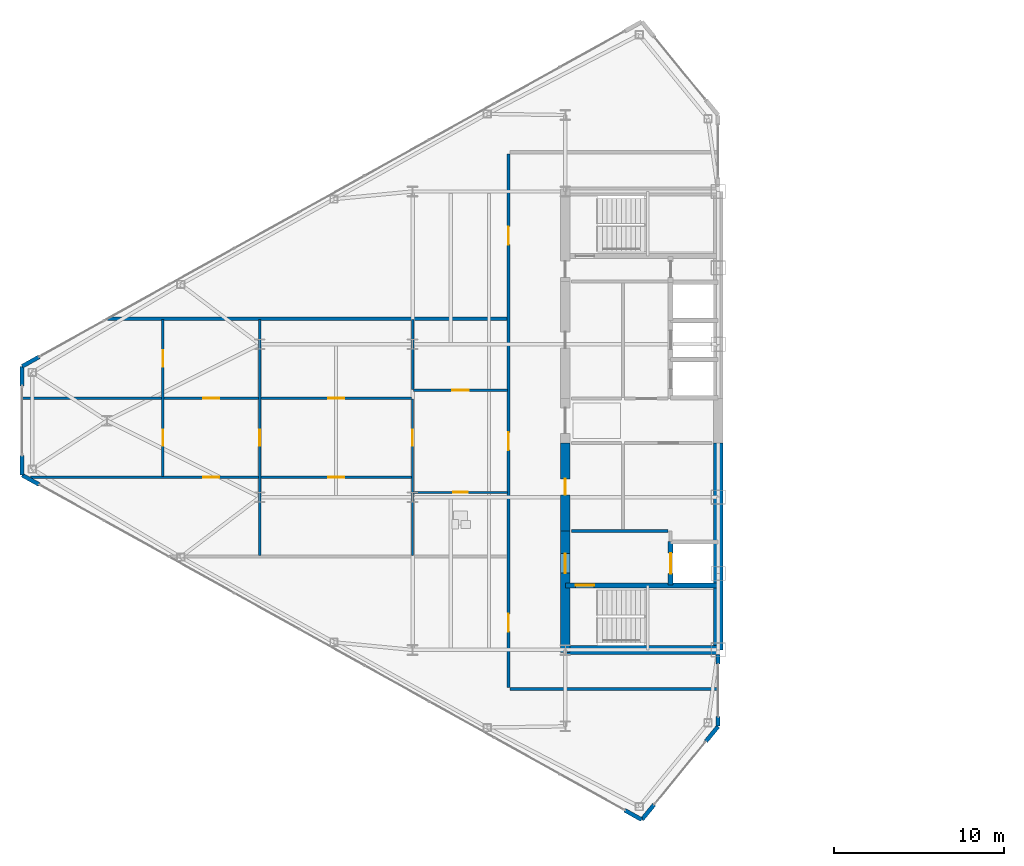
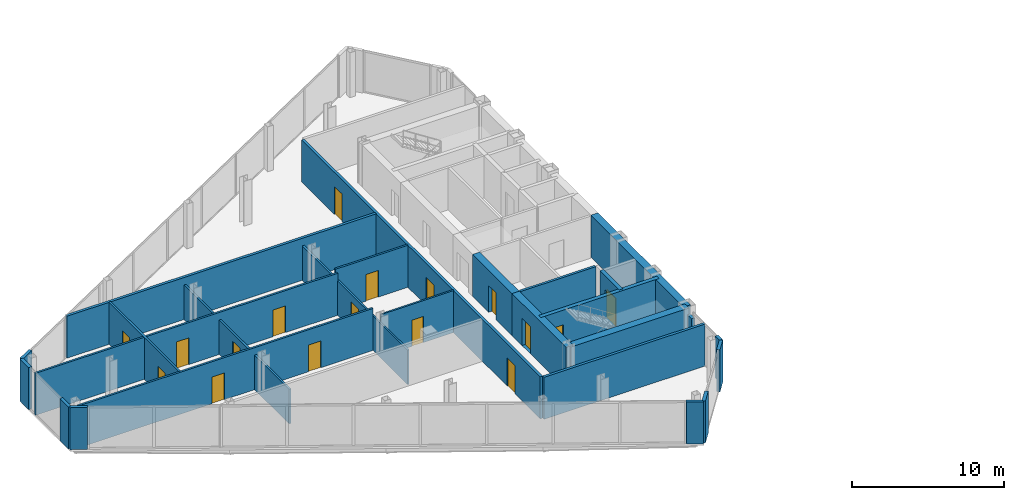
# One storey, part 19 of 26: 27 walls, 17 doors, 17 openings.
"""IFC4 building model written with IfcOpenShell, lengths in metres."""

from ifc_helpers import new_model, si_unit, direction, frame, frame_2d, origin, place, context, subcontext, project, spatial, rectangle, extrude, source, transform, mapped, material, layer, layer_set, type_object, type_shapes, element, fill, save


model = new_model("IFC4")

# Units and contexts
model_context = context("Model", 3, precision=1e-05, world=origin(), true_north=direction((0.0, 1.0)))
body_context = subcontext(model_context, "Body", "Model", "MODEL_VIEW")
ifc_project = project(units=[si_unit("LENGTHUNIT", "METRE"), si_unit("AREAUNIT", "SQUARE_METRE"), si_unit("VOLUMEUNIT", "CUBIC_METRE"), si_unit("PLANEANGLEUNIT", "RADIAN"), si_unit("MASSUNIT", "GRAM", prefix="KILO")], contexts=[model_context])

# Site, building, storey
site_placement = place(None, origin())
site = spatial("IfcSite", under=ifc_project, at=site_placement, CompositionType="ELEMENT")
building_placement = place(site_placement, origin())
building = spatial("IfcBuilding", under=site, at=building_placement, Name="Seokmaru Belvedere", CompositionType="ELEMENT")
storey_placement = place(building_placement, frame((0.0, 0.0, 174.300048828125)))
storey = spatial("IfcBuildingStorey", under=building, at=storey_placement, Name="L46", CompositionType="ELEMENT", Elevation=174.300048828125)

# Wall, openings, doors
ifc_material_1 = material(Name="Fire-Rated Gypsum Shaftwall")
ifc_layer_1 = layer(ifc_material_1, 0.14990234375)
ifc_layer_set_1 = layer_set([ifc_layer_1], Name="Fire-Rated Gypsum Shaftwall")
wall_type_1 = type_object("IfcWallType", Name="Apartment Fire-Acoustic Room Partition 150", PredefinedType="PARTITIONING", material=ifc_layer_set_1)
wall_1_placement = place(storey_placement, frame((-68.00927734375, -3.330078125, 0.0), z_axis=(0.0, 0.0, 1.0), x_axis=(1.0, 0.0, 0.0)))
wall_1 = element("IfcWall", 1, at=wall_1_placement, inside=storey, type_object=wall_type_1, Name="L46 Interior Partition 010", PredefinedType="PARTITIONING", context=body_context, shape_type="SweptSolid", body=[
    extrude(rectangle(XDim=22.459228515625, YDim=0.14990234375, at=frame_2d((11.2294921875, 0.0))), origin(), (0.0, 0.0, 1.0), 3.3798828125),
])
opening_1_placement = place(wall_1_placement, frame((17.5341796875, 0.0, 0.0)))
opening_1 = element("IfcOpeningElement", 2, at=opening_1_placement, cuts=wall_1, Name="Opening D05", PredefinedType="OPENING", context=body_context, shape_type="SweptSolid", body=[
    extrude(rectangle(XDim=0.949951171875, YDim=2.14990234375, at=frame_2d((0.47509765625, 1.074951171875))), frame((0.0, 0.0849609375, 0.0), z_axis=(0.0, -1.0, 0.0), x_axis=(1.0, 0.0, 0.0)), (0.0, 0.0, 1.0), 0.169921875),
])
opening_2_placement = place(wall_1_placement, frame((10.18408203125, 0.0, 0.0)))
opening_2 = element("IfcOpeningElement", 3, at=opening_2_placement, cuts=wall_1, Name="Opening D05", PredefinedType="OPENING", context=body_context, shape_type="SweptSolid", body=[
    extrude(rectangle(XDim=0.949951171875, YDim=2.14990234375, at=frame_2d((0.47509765625, 1.074951171875))), frame((0.0, 0.0849609375, 0.0), z_axis=(0.0, -1.0, 0.0), x_axis=(1.0, 0.0, 0.0)), (0.0, 0.0, 1.0), 0.169921875),
])
ifc_material_2 = material(Name="Engineered White Oak Timber", Category="wood")
door_type_1 = type_object("IfcDoorType", Name="Apartment Interior Fire-Rated Oak Door 950x2150", OperationType="NOTDEFINED", PredefinedType="DOOR", material=ifc_material_2)
shared_shape_1 = source(origin(), body_context, "Body", "SweptSolid", [
    extrude(rectangle(XDim=0.949951171875, YDim=2.14990234375, at=frame_2d((0.47509765625, 1.074951171875))), frame((0.0, 0.02490234375, 0.0), z_axis=(0.0, -1.0, 0.0), x_axis=(1.0, 0.0, 0.0)), (0.0, 0.0, 1.0), 0.050048828125),
])
type_shapes(door_type_1, [shared_shape_1])
door_1_placement = place(opening_1_placement, origin())
door_1 = element("IfcDoor", 4, at=door_1_placement, inside=storey, type_object=door_type_1, Name="L46 Interior Door 007", OperationType="SINGLE_SWING_LEFT", OverallHeight=2.14990234375, OverallWidth=0.949951171875, PredefinedType="DOOR", context=body_context, shape_type="MappedRepresentation", body=[
    mapped(shared_shape_1, transform((0.0, 0.0, 0.0), scale=1.0)),
])
fill(opening_1, door_1)
door_2_placement = place(opening_2_placement, origin())
door_2 = element("IfcDoor", 5, at=door_2_placement, inside=storey, type_object=door_type_1, Name="L46 Interior Door 009", OperationType="SINGLE_SWING_LEFT", OverallHeight=2.14990234375, OverallWidth=0.949951171875, PredefinedType="DOOR", context=body_context, shape_type="MappedRepresentation", body=[
    mapped(shared_shape_1, transform((0.0, 0.0, 0.0), scale=1.0)),
])
fill(opening_2, door_2)

wall_2_placement = place(storey_placement, frame((-68.534912109375, 1.330078125, 0.0), z_axis=(0.0, 0.0, 1.0), x_axis=(1.0, 0.0, 0.0)))
wall_2 = element("IfcWall", 6, at=wall_2_placement, inside=storey, type_object=wall_type_1, Name="L46 Interior Partition 013", PredefinedType="PARTITIONING", context=body_context, shape_type="SweptSolid", body=[
    extrude(rectangle(XDim=22.98486328125, YDim=0.14990234375, at=frame_2d((11.492431640625, 0.0))), origin(), (0.0, 0.0, 1.0), 3.3798828125),
])
opening_3_placement = place(wall_2_placement, frame((18.06005859375, 0.0, 0.0)))
opening_3 = element("IfcOpeningElement", 7, at=opening_3_placement, cuts=wall_2, Name="Opening D05", PredefinedType="OPENING", context=body_context, shape_type="SweptSolid", body=[
    extrude(rectangle(XDim=0.949951171875, YDim=2.14990234375, at=frame_2d((0.47509765625, 1.074951171875))), frame((0.0, 0.0849609375, 0.0), z_axis=(0.0, -1.0, 0.0), x_axis=(1.0, 0.0, 0.0)), (0.0, 0.0, 1.0), 0.169921875),
])
opening_4_placement = place(wall_2_placement, frame((10.7099609375, 0.0, 0.0)))
opening_4 = element("IfcOpeningElement", 8, at=opening_4_placement, cuts=wall_2, Name="Opening D05", PredefinedType="OPENING", context=body_context, shape_type="SweptSolid", body=[
    extrude(rectangle(XDim=0.949951171875, YDim=2.14990234375, at=frame_2d((0.47509765625, 1.074951171875))), frame((0.0, 0.0849609375, 0.0), z_axis=(0.0, -1.0, 0.0), x_axis=(1.0, 0.0, 0.0)), (0.0, 0.0, 1.0), 0.169921875),
])
door_3_placement = place(opening_3_placement, origin())
door_3 = element("IfcDoor", 9, at=door_3_placement, inside=storey, type_object=door_type_1, Name="L46 Interior Door 008", OperationType="SINGLE_SWING_RIGHT", OverallHeight=2.14990234375, OverallWidth=0.949951171875, PredefinedType="DOOR", context=body_context, shape_type="MappedRepresentation", body=[
    mapped(shared_shape_1, transform((0.0, 0.0, 0.0), scale=1.0)),
])
fill(opening_3, door_3)
door_4_placement = place(opening_4_placement, origin())
door_4 = element("IfcDoor", 10, at=door_4_placement, inside=storey, type_object=door_type_1, Name="L46 Interior Door 011", OperationType="SINGLE_SWING_LEFT", OverallHeight=2.14990234375, OverallWidth=0.949951171875, PredefinedType="DOOR", context=body_context, shape_type="MappedRepresentation", body=[
    mapped(shared_shape_1, transform((0.0, 0.0, 0.0), scale=1.0)),
])
fill(opening_4, door_4)

# Wall, opening, door
wall_3_placement = place(storey_placement, frame((-45.449951171875, 1.800048828125, 0.0), z_axis=(0.0, 0.0, 1.0), x_axis=(1.0, 0.0, 0.0)))
wall_3 = element("IfcWall", 11, at=wall_3_placement, inside=storey, type_object=wall_type_1, Name="L46 Interior Partition 014", PredefinedType="PARTITIONING", context=body_context, shape_type="SweptSolid", body=[
    extrude(rectangle(XDim=5.550048828125, YDim=0.14990234375, at=frame_2d((2.77490234375, 0.0))), origin(), (0.0, 0.0, 1.0), 3.3798828125),
])
opening_5_placement = place(wall_3_placement, frame((2.300048828125, 0.0, 0.0)))
opening_5 = element("IfcOpeningElement", 12, at=opening_5_placement, cuts=wall_3, Name="Opening D05", PredefinedType="OPENING", context=body_context, shape_type="SweptSolid", body=[
    extrude(rectangle(XDim=0.949951171875, YDim=2.14990234375, at=frame_2d((0.47509765625, 1.074951171875))), frame((0.0, 0.0849609375, 0.0), z_axis=(0.0, -1.0, 0.0), x_axis=(1.0, 0.0, 0.0)), (0.0, 0.0, 1.0), 0.169921875),
])
door_5_placement = place(opening_5_placement, origin())
door_5 = element("IfcDoor", 13, at=door_5_placement, inside=storey, type_object=door_type_1, Name="L46 Interior Door 004", OperationType="SINGLE_SWING_LEFT", OverallHeight=2.14990234375, OverallWidth=0.949951171875, PredefinedType="DOOR", context=body_context, shape_type="MappedRepresentation", body=[
    mapped(shared_shape_1, transform((0.0, 0.0, 0.0), scale=1.0)),
])
fill(opening_5, door_5)

# Wall, openings, doors
wall_4_placement = place(storey_placement, frame((-60.199951171875, -3.282958984375, 0.0), z_axis=(0.0, 0.0, 1.0), x_axis=(0.0, 1.0, 0.0)))
wall_4 = element("IfcWall", 14, at=wall_4_placement, inside=storey, type_object=wall_type_1, Name="L46 Interior Partition 021", PredefinedType="PARTITIONING", context=body_context, shape_type="SweptSolid", body=[
    extrude(rectangle(XDim=9.23291015625, YDim=0.14990234375, at=frame_2d((4.616455078125, 0.0))), origin(), (0.0, 0.0, 1.0), 3.3798828125),
])
opening_6_placement = place(wall_4_placement, frame((1.80810546875, 0.0, 0.0)))
opening_6 = element("IfcOpeningElement", 15, at=opening_6_placement, cuts=wall_4, Name="Opening D05", PredefinedType="OPENING", context=body_context, shape_type="SweptSolid", body=[
    extrude(rectangle(XDim=0.949951171875, YDim=2.14990234375, at=frame_2d((0.47509765625, 1.074951171875))), frame((0.0, 0.0849609375, 0.0), z_axis=(0.0, -1.0, 0.0), x_axis=(1.0, 0.0, 0.0)), (0.0, 0.0, 1.0), 0.169921875),
])
opening_7_placement = place(wall_4_placement, frame((6.474609375, 0.0, 0.0)))
opening_7 = element("IfcOpeningElement", 16, at=opening_7_placement, cuts=wall_4, Name="Opening D05", PredefinedType="OPENING", context=body_context, shape_type="SweptSolid", body=[
    extrude(rectangle(XDim=0.949951171875, YDim=2.14990234375, at=frame_2d((0.47509765625, 1.074951171875))), frame((0.0, 0.0849609375, 0.0), z_axis=(0.0, -1.0, 0.0), x_axis=(1.0, 0.0, 0.0)), (0.0, 0.0, 1.0), 0.169921875),
])
door_6_placement = place(opening_6_placement, origin())
door_6 = element("IfcDoor", 17, at=door_6_placement, inside=storey, type_object=door_type_1, Name="L46 Interior Door 010", OperationType="SINGLE_SWING_RIGHT", OverallHeight=2.14990234375, OverallWidth=0.949951171875, PredefinedType="DOOR", context=body_context, shape_type="MappedRepresentation", body=[
    mapped(shared_shape_1, transform((0.0, 0.0, 0.0), scale=1.0)),
])
fill(opening_6, door_6)
door_7_placement = place(opening_7_placement, origin())
door_7 = element("IfcDoor", 18, at=door_7_placement, inside=storey, type_object=door_type_1, Name="L46 Interior Door 012", OperationType="SINGLE_SWING_RIGHT", OverallHeight=2.14990234375, OverallWidth=0.949951171875, PredefinedType="DOOR", context=body_context, shape_type="MappedRepresentation", body=[
    mapped(shared_shape_1, transform((0.0, 0.0, 0.0), scale=1.0)),
])
fill(opening_7, door_7)

# Wall, opening, door
wall_5_placement = place(storey_placement, frame((-54.5, -7.949951171875, 0.0), z_axis=(0.0, 0.0, 1.0), x_axis=(0.0, 1.0, 0.0)))
wall_5 = element("IfcWall", 19, at=wall_5_placement, inside=storey, type_object=wall_type_1, Name="L46 Interior Partition 022", PredefinedType="PARTITIONING", context=body_context, shape_type="SweptSolid", body=[
    extrude(rectangle(XDim=13.89990234375, YDim=0.14990234375, at=frame_2d((6.949951171875, 0.0))), origin(), (0.0, 0.0, 1.0), 2.780029296875),
])
opening_8_placement = place(wall_5_placement, frame((6.47509765625, 0.0, 0.0)))
opening_8 = element("IfcOpeningElement", 20, at=opening_8_placement, cuts=wall_5, Name="Opening D05", PredefinedType="OPENING", context=body_context, shape_type="SweptSolid", body=[
    extrude(rectangle(XDim=0.949951171875, YDim=2.14990234375, at=frame_2d((0.47509765625, 1.074951171875))), frame((0.0, 0.0849609375, 0.0), z_axis=(0.0, -1.0, 0.0), x_axis=(1.0, 0.0, 0.0)), (0.0, 0.0, 1.0), 0.169921875),
])
door_8_placement = place(opening_8_placement, origin())
door_8 = element("IfcDoor", 21, at=door_8_placement, inside=storey, type_object=door_type_1, Name="L46 Interior Door 006", OperationType="SINGLE_SWING_RIGHT", OverallHeight=2.14990234375, OverallWidth=0.949951171875, PredefinedType="DOOR", context=body_context, shape_type="MappedRepresentation", body=[
    mapped(shared_shape_1, transform((0.0, 0.0, 0.0), scale=1.0)),
])
fill(opening_8, door_8)

# Walls
wall_6_placement = place(storey_placement, frame((-45.5, 1.85205078125, 0.0), z_axis=(0.0, 0.0, 1.0), x_axis=(0.0, 1.0, 0.0)))
element("IfcWall", 22, at=wall_6_placement, inside=storey, type_object=wall_type_1, Name="L46 Interior Partition 024", PredefinedType="PARTITIONING", context=body_context, shape_type="SweptSolid", body=[
    extrude(rectangle(XDim=4.097900390625, YDim=0.14990234375, at=frame_2d((2.048828125, 0.0))), origin(), (0.0, 0.0, 1.0), 2.780029296875),
])
ifc_layer_2 = layer(ifc_material_1, 0.179931640625)
ifc_layer_set_2 = layer_set([ifc_layer_2], Name="Fire-Rated Gypsum Shaftwall")
wall_type_2 = type_object("IfcWallType", Name="Core Service Fire Partition 180", PredefinedType="PARTITIONING", material=ifc_layer_set_2)
wall_7_placement = place(storey_placement, frame((-36.14990234375, -6.5, 0.0), z_axis=(0.0, 0.0, 1.0), x_axis=(1.0, 0.0, 0.0)))
element("IfcWall", 23, at=wall_7_placement, inside=storey, type_object=wall_type_2, Name="L46 West Firefighting Lobby Partition", PredefinedType="PARTITIONING", context=body_context, shape_type="SweptSolid", body=[
    extrude(rectangle(XDim=5.699951171875, YDim=0.179931640625, at=frame_2d((2.85009765625, 0.0))), origin(), (0.0, 0.0, 1.0), 3.3798828125),
])
ifc_layer_3 = layer(ifc_material_1, 0.199951171875)
ifc_layer_set_3 = layer_set([ifc_layer_3], Name="Fire-Rated Gypsum Shaftwall")
wall_type_3 = type_object("IfcWallType", Name="Inter-Tenancy Fire Compartment Partition 200", PredefinedType="PARTITIONING", material=ifc_layer_set_3)
wall_8_placement = place(storey_placement, frame((-39.764892578125, -15.800048828125, 0.0), z_axis=(0.0, 0.0, 1.0), x_axis=(1.0, 0.0, 0.0)))
element("IfcWall", 24, at=wall_8_placement, inside=storey, type_object=wall_type_3, Name="L46 Interior Partition 001", PredefinedType="PARTITIONING", context=body_context, shape_type="SweptSolid", body=[
    extrude(rectangle(XDim=12.264892578125, YDim=0.199951171875, at=frame_2d((6.13232421875, 0.0))), origin(), (0.0, 0.0, 1.0), 3.3798828125),
])
wall_9_placement = place(storey_placement, frame((-63.47607421875, 6.0, 0.0), z_axis=(0.0, 0.0, 1.0), x_axis=(1.0, 0.0, 0.0)))
element("IfcWall", 25, at=wall_9_placement, inside=storey, type_object=wall_type_3, Name="L46 Interior Partition 017", PredefinedType="PARTITIONING", context=body_context, shape_type="SweptSolid", body=[
    extrude(rectangle(XDim=23.546142578125, YDim=0.199951171875, at=frame_2d((11.77294921875, 0.0))), origin(), (0.0, 0.0, 1.0), 3.3798828125),
])

# Wall, openings, doors
wall_10_placement = place(storey_placement, frame((-39.85009765625, -15.715087890625, 0.0), z_axis=(0.0, 0.0, 1.0), x_axis=(0.0, 1.0, 0.0)))
wall_10 = element("IfcWall", 26, at=wall_10_placement, inside=storey, type_object=wall_type_3, Name="L46 Interior Partition 025", PredefinedType="PARTITIONING", context=body_context, shape_type="SweptSolid", body=[
    extrude(rectangle(XDim=31.43017578125, YDim=0.199951171875, at=frame_2d((15.715087890625, 0.0))), origin(), (0.0, 0.0, 1.0), 3.3798828125),
])
opening_9_placement = place(wall_10_placement, frame((3.2900390625, 0.0, 0.0)))
opening_9 = element("IfcOpeningElement", 27, at=opening_9_placement, cuts=wall_10, Name="Opening D03", PredefinedType="OPENING", context=body_context, shape_type="SweptSolid", body=[
    extrude(rectangle(XDim=1.050048828125, YDim=2.25, at=frame_2d((0.52490234375, 1.125))), frame((0.0, 0.10986328125, 0.0), z_axis=(0.0, -1.0, 0.0), x_axis=(1.0, 0.0, 0.0)), (0.0, 0.0, 1.0), 0.219970703125),
])
opening_10_placement = place(wall_10_placement, frame((13.97998046875, 0.0, 0.0)))
opening_10 = element("IfcOpeningElement", 28, at=opening_10_placement, cuts=wall_10, Name="Opening D03", PredefinedType="OPENING", context=body_context, shape_type="SweptSolid", body=[
    extrude(rectangle(XDim=1.050048828125, YDim=2.25, at=frame_2d((0.52490234375, 1.125))), frame((0.0, 0.10986328125, 0.0), z_axis=(0.0, -1.0, 0.0), x_axis=(1.0, 0.0, 0.0)), (0.0, 0.0, 1.0), 0.219970703125),
])
opening_11_placement = place(wall_10_placement, frame((26.090087890625, 0.0, 0.0)))
opening_11 = element("IfcOpeningElement", 29, at=opening_11_placement, cuts=wall_10, Name="Opening D03", PredefinedType="OPENING", context=body_context, shape_type="SweptSolid", body=[
    extrude(rectangle(XDim=1.050048828125, YDim=2.25, at=frame_2d((0.52490234375, 1.125))), frame((0.0, 0.10986328125, 0.0), z_axis=(0.0, -1.0, 0.0), x_axis=(1.0, 0.0, 0.0)), (0.0, 0.0, 1.0), 0.219970703125),
])
ifc_material_3 = material(Name="Fire-Rated Steel Leaf", Category="steel")
door_type_2 = type_object("IfcDoorType", Name="Apartment Entrance Fire Door 1050x2250", OperationType="NOTDEFINED", PredefinedType="DOOR", material=ifc_material_3)
shared_shape_2 = source(origin(), body_context, "Body", "SweptSolid", [
    extrude(rectangle(XDim=1.050048828125, YDim=2.25, at=frame_2d((0.52490234375, 1.125))), frame((0.0, 0.02490234375, 0.0), z_axis=(0.0, -1.0, 0.0), x_axis=(1.0, 0.0, 0.0)), (0.0, 0.0, 1.0), 0.050048828125),
])
type_shapes(door_type_2, [shared_shape_2])
door_9_placement = place(opening_9_placement, origin())
door_9 = element("IfcDoor", 30, at=door_9_placement, inside=storey, type_object=door_type_2, Name="L46 Interior Door 001", OperationType="SINGLE_SWING_RIGHT", OverallHeight=2.25, OverallWidth=1.050048828125, PredefinedType="DOOR", context=body_context, shape_type="MappedRepresentation", body=[
    mapped(shared_shape_2, transform((0.0, 0.0, 0.0), scale=1.0)),
])
fill(opening_9, door_9)
door_10_placement = place(opening_10_placement, origin())
door_10 = element("IfcDoor", 31, at=door_10_placement, inside=storey, type_object=door_type_2, Name="L46 Interior Door 002", OperationType="SINGLE_SWING_LEFT", OverallHeight=2.25, OverallWidth=1.050048828125, PredefinedType="DOOR", context=body_context, shape_type="MappedRepresentation", body=[
    mapped(shared_shape_2, transform((0.0, 0.0, 0.0), scale=1.0)),
])
fill(opening_10, door_10)
door_11_placement = place(opening_11_placement, origin())
door_11 = element("IfcDoor", 32, at=door_11_placement, inside=storey, type_object=door_type_2, Name="L46 Interior Door 013", OperationType="SINGLE_SWING_RIGHT", OverallHeight=2.25, OverallWidth=1.050048828125, PredefinedType="DOOR", context=body_context, shape_type="MappedRepresentation", body=[
    mapped(shared_shape_2, transform((0.0, 0.0, 0.0), scale=1.0)),
])
fill(opening_11, door_11)

# Wall, opening, door
ifc_material_4 = material(Name="Concrete C50 (50 MPa)", Category="concrete")
ifc_layer_4 = layer(ifc_material_4, 0.300048828125)
ifc_layer_set_4 = layer_set([ifc_layer_4], Name="Concrete C50 (50 MPa)")
wall_type_4 = type_object("IfcWallType", Name="Internal Core Stair and Hoistway Wall 300", PredefinedType="SHEAR", material=ifc_layer_set_4)
wall_11_placement = place(storey_placement, frame((-36.5, -9.699951171875, 0.0), z_axis=(0.0, 0.0, 1.0), x_axis=(1.0, 0.0, 0.0)))
wall_11 = element("IfcWall", 33, at=wall_11_placement, inside=storey, type_object=wall_type_4, Name="L46 West Stair ST-1 Enclosure Wall", PredefinedType="SHEAR", context=body_context, shape_type="SweptSolid", body=[
    extrude(rectangle(XDim=9.0, YDim=0.300048828125, at=frame_2d((4.5, 0.0))), origin(), (0.0, 0.0, 1.0), 3.3798828125),
])
opening_12_placement = place(wall_11_placement, frame((0.60009765625, 0.0, 0.0)))
opening_12 = element("IfcOpeningElement", 34, at=opening_12_placement, cuts=wall_11, Name="Opening D01", PredefinedType="OPENING", context=body_context, shape_type="SweptSolid", body=[
    extrude(rectangle(XDim=1.10009765625, YDim=2.199951171875, at=frame_2d((0.550048828125, 1.10009765625))), frame((0.0, 0.16015625, 0.0), z_axis=(0.0, -1.0, 0.0), x_axis=(1.0, 0.0, 0.0)), (0.0, 0.0, 1.0), 0.320068359375),
])
door_type_3 = type_object("IfcDoorType", Name="Special Escape Stair Smokeproof Fire Door 1100x2200", OperationType="NOTDEFINED", PredefinedType="DOOR", material=ifc_material_3)
shared_shape_3 = source(origin(), body_context, "Body", "SweptSolid", [
    extrude(rectangle(XDim=1.10009765625, YDim=2.199951171875, at=frame_2d((0.550048828125, 1.10009765625))), frame((0.0, 0.02490234375, 0.0), z_axis=(0.0, -1.0, 0.0), x_axis=(1.0, 0.0, 0.0)), (0.0, 0.0, 1.0), 0.050048828125),
])
type_shapes(door_type_3, [shared_shape_3])
door_12_placement = place(opening_12_placement, frame((1.10009765625, 0.0, 0.0), z_axis=(0.0, 0.0, 1.0), x_axis=(-1.0, 0.0, 0.0)))
door_12 = element("IfcDoor", 35, at=door_12_placement, inside=storey, type_object=door_type_3, Name="L46 West Special Escape Stair ST-1 Door", OperationType="SINGLE_SWING_LEFT", OverallHeight=2.199951171875, OverallWidth=1.10009765625, PredefinedType="DOOR", context=body_context, shape_type="MappedRepresentation", body=[
    mapped(shared_shape_3, transform((0.0, 0.0, 0.0), scale=1.0)),
])
fill(opening_12, door_12)

wall_12_placement = place(storey_placement, frame((-30.300048828125, -9.679931640625, 0.0), z_axis=(0.0, 0.0, 1.0), x_axis=(0.0, 1.0, 0.0)))
wall_12 = element("IfcWall", 36, at=wall_12_placement, inside=storey, type_object=wall_type_4, Name="L46 West Firefighting Lift Shaft Front Wall", PredefinedType="SHEAR", context=body_context, shape_type="SweptSolid", body=[
    extrude(rectangle(XDim=2.559814453125, YDim=0.300048828125, at=frame_2d((1.27978515625, 0.0))), origin(), (0.0, 0.0, 1.0), 3.3798828125),
])
opening_13_placement = place(wall_12_placement, frame((0.679931640625, 0.0, 0.0)))
opening_13 = element("IfcOpeningElement", 37, at=opening_13_placement, cuts=wall_12, Name="Opening LD2", PredefinedType="OPENING", context=body_context, shape_type="SweptSolid", body=[
    extrude(rectangle(XDim=1.199951171875, YDim=2.25, at=frame_2d((0.60009765625, 1.125))), frame((0.0, 0.16015625, 0.0), z_axis=(0.0, -1.0, 0.0), x_axis=(1.0, 0.0, 0.0)), (0.0, 0.0, 1.0), 0.320068359375),
])
ifc_material_5 = material(Name="Stainless Steel 316", Category="steel")
door_type_4 = type_object("IfcDoorType", Name="Firefighting Lift Sliding Landing Door 1200x2250", OperationType="DOUBLE_DOOR_SLIDING", PredefinedType="DOOR", material=ifc_material_5)
shared_shape_4 = source(origin(), body_context, "Body", "SweptSolid", [
    extrude(rectangle(XDim=1.199951171875, YDim=2.25, at=frame_2d((0.60009765625, 1.125))), frame((0.0, 0.02490234375, 0.0), z_axis=(0.0, -1.0, 0.0), x_axis=(1.0, 0.0, 0.0)), (0.0, 0.0, 1.0), 0.050048828125),
])
type_shapes(door_type_4, [shared_shape_4])
door_13_placement = place(opening_13_placement, origin())
door_13 = element("IfcDoor", 38, at=door_13_placement, inside=storey, type_object=door_type_4, Name="L46 West Firefighting Lift Landing Door", OperationType="DOUBLE_DOOR_SLIDING", OverallHeight=2.25, OverallWidth=1.199951171875, PredefinedType="DOOR", context=body_context, shape_type="MappedRepresentation", body=[
    mapped(shared_shape_4, transform((0.0, 0.0, 0.0), scale=1.0)),
])
fill(opening_13, door_13)

# Walls
ifc_layer_5 = layer(ifc_material_4, 0.550048828125)
ifc_layer_set_5 = layer_set([ifc_layer_5], Name="Concrete C50 (50 MPa)")
wall_type_5 = type_object("IfcWallType", Name="Mid-High Reinforced Concrete Core Wall 550", PredefinedType="SHEAR", material=ifc_layer_set_5)
wall_13_placement = place(storey_placement, frame((-27.5, -13.5, 0.0), z_axis=(0.0, 0.0, 1.0), x_axis=(0.0, 1.0, 0.0)))
element("IfcWall", 39, at=wall_13_placement, inside=storey, type_object=wall_type_5, Name="L46 West Portal Spine Core Wall South", PredefinedType="SHEAR", context=body_context, shape_type="SweptSolid", body=[
    extrude(rectangle(XDim=12.199951171875, YDim=0.550048828125, at=frame_2d((6.10009765625, 0.0))), origin(), (0.0, 0.0, 1.0), 3.3798828125),
])
wall_14_placement = place(storey_placement, frame((-36.5, -13.5, 0.0), z_axis=(0.0, 0.0, 1.0), x_axis=(1.0, 0.0, 0.0)))
element("IfcWall", 40, at=wall_14_placement, inside=storey, type_object=wall_type_5, Name="L46 West South Core Wall", PredefinedType="SHEAR", context=body_context, shape_type="SweptSolid", body=[
    extrude(rectangle(XDim=9.0, YDim=0.550048828125, at=frame_2d((4.5, 0.0))), origin(), (0.0, 0.0, 1.0), 3.3798828125),
])

# Wall, opening, door
wall_15_placement = place(storey_placement, frame((-36.5, -13.64990234375, 0.0), z_axis=(0.0, 0.0, 1.0), x_axis=(0.0, 1.0, 0.0)))
wall_15 = element("IfcWall", 41, at=wall_15_placement, inside=storey, type_object=wall_type_5, Name="L46 West West Core Wall FF", PredefinedType="SHEAR", context=body_context, shape_type="SweptSolid", body=[
    extrude(rectangle(XDim=7.14990234375, YDim=0.550048828125, at=frame_2d((3.574951171875, 0.0))), origin(), (0.0, 0.0, 1.0), 3.3798828125),
])
opening_14_placement = place(wall_15_placement, frame((4.675048828125, 0.0, 0.0)))
opening_14 = element("IfcOpeningElement", 42, at=opening_14_placement, cuts=wall_15, Name="Opening D02", PredefinedType="OPENING", context=body_context, shape_type="SweptSolid", body=[
    extrude(rectangle(XDim=1.14990234375, YDim=2.199951171875, at=frame_2d((0.574951171875, 1.10009765625))), frame((0.0, 0.28515625, 0.0), z_axis=(0.0, -1.0, 0.0), x_axis=(1.0, 0.0, 0.0)), (0.0, 0.0, 1.0), 0.570068359375),
])
door_type_5 = type_object("IfcDoorType", Name="Lobby and Vestibule Fire Door 1150x2200", OperationType="NOTDEFINED", PredefinedType="DOOR", material=ifc_material_3)
shared_shape_5 = source(origin(), body_context, "Body", "SweptSolid", [
    extrude(rectangle(XDim=1.14990234375, YDim=2.199951171875, at=frame_2d((0.574951171875, 1.10009765625))), frame((0.0, 0.02490234375, 0.0), z_axis=(0.0, -1.0, 0.0), x_axis=(1.0, 0.0, 0.0)), (0.0, 0.0, 1.0), 0.050048828125),
])
type_shapes(door_type_5, [shared_shape_5])
door_14_placement = place(opening_14_placement, frame((1.14990234375, 0.0, 0.0), z_axis=(0.0, 0.0, 1.0), x_axis=(-1.0, 0.0, 0.0)))
door_14 = element("IfcDoor", 43, at=door_14_placement, inside=storey, type_object=door_type_5, Name="L46 West Firefighting Lobby Door", OperationType="SINGLE_SWING_LEFT", OverallHeight=2.199951171875, OverallWidth=1.14990234375, PredefinedType="DOOR", context=body_context, shape_type="MappedRepresentation", body=[
    mapped(shared_shape_5, transform((0.0, 0.0, 0.0), scale=1.0)),
])
fill(opening_14, door_14)

wall_16_placement = place(storey_placement, frame((-36.5, -6.5, 0.0), z_axis=(0.0, 0.0, 1.0), x_axis=(0.0, 1.0, 0.0)))
wall_16 = element("IfcWall", 44, at=wall_16_placement, inside=storey, type_object=wall_type_5, Name="L46 West West Core Wall CS1", PredefinedType="SHEAR", context=body_context, shape_type="SweptSolid", body=[
    extrude(rectangle(XDim=5.199951171875, YDim=0.550048828125, at=frame_2d((2.60009765625, 0.0))), origin(), (0.0, 0.0, 1.0), 3.3798828125),
])
opening_15_placement = place(wall_16_placement, frame((2.125, 0.0, 0.0)))
opening_15 = element("IfcOpeningElement", 45, at=opening_15_placement, cuts=wall_16, Name="Opening D04", PredefinedType="OPENING", context=body_context, shape_type="SweptSolid", body=[
    extrude(rectangle(XDim=0.949951171875, YDim=2.14990234375, at=frame_2d((0.47509765625, 1.074951171875))), frame((0.0, 0.28515625, 0.0), z_axis=(0.0, -1.0, 0.0), x_axis=(1.0, 0.0, 0.0)), (0.0, 0.0, 1.0), 0.570068359375),
])
door_type_6 = type_object("IfcDoorType", Name="Core Service Room Fire Door 950x2150", OperationType="NOTDEFINED", PredefinedType="DOOR", material=ifc_material_3)
shared_shape_6 = source(origin(), body_context, "Body", "SweptSolid", [
    extrude(rectangle(XDim=0.949951171875, YDim=2.14990234375, at=frame_2d((0.47509765625, 1.074951171875))), frame((0.0, 0.02490234375, 0.0), z_axis=(0.0, -1.0, 0.0), x_axis=(1.0, 0.0, 0.0)), (0.0, 0.0, 1.0), 0.050048828125),
])
type_shapes(door_type_6, [shared_shape_6])
door_15_placement = place(opening_15_placement, origin())
door_15 = element("IfcDoor", 46, at=door_15_placement, inside=storey, type_object=door_type_6, Name="L46 West Core Service Room Door 1", OperationType="SINGLE_SWING_LEFT", OverallHeight=2.14990234375, OverallWidth=0.949951171875, PredefinedType="DOOR", context=body_context, shape_type="MappedRepresentation", body=[
    mapped(shared_shape_6, transform((0.0, 0.0, 0.0), scale=1.0)),
])
fill(opening_15, door_15)

ifc_layer_6 = layer(ifc_material_1, 0.1298828125)
ifc_layer_set_6 = layer_set([ifc_layer_6], Name="Fire-Rated Gypsum Shaftwall")
wall_type_6 = type_object("IfcWallType", Name="Moisture-Resistant Fire-Rated Bathroom Partition 130", PredefinedType="PARTITIONING", material=ifc_layer_set_6)
wall_17_placement = place(storey_placement, frame((-45.449951171875, -4.219970703125, 0.0), z_axis=(0.0, 0.0, 1.0), x_axis=(1.0, 0.0, 0.0)))
wall_17 = element("IfcWall", 47, at=wall_17_placement, inside=storey, type_object=wall_type_6, Name="L46 Interior Partition 009", PredefinedType="PARTITIONING", context=body_context, shape_type="SweptSolid", body=[
    extrude(rectangle(XDim=5.550048828125, YDim=0.1298828125, at=frame_2d((2.77490234375, 0.0))), origin(), (0.0, 0.0, 1.0), 3.3798828125),
])
opening_16_placement = place(wall_17_placement, frame((2.3349609375, 0.0, 0.0)))
opening_16 = element("IfcOpeningElement", 48, at=opening_16_placement, cuts=wall_17, Name="Opening D06", PredefinedType="OPENING", context=body_context, shape_type="SweptSolid", body=[
    extrude(rectangle(XDim=0.8798828125, YDim=2.10009765625, at=frame_2d((0.43994140625, 1.050048828125))), frame((0.0, 0.074951171875, 0.0), z_axis=(0.0, -1.0, 0.0), x_axis=(1.0, 0.0, 0.0)), (0.0, 0.0, 1.0), 0.14990234375),
])
door_type_7 = type_object("IfcDoorType", Name="Bathroom and Restroom Fire-Rated Door 880x2100", OperationType="NOTDEFINED", PredefinedType="DOOR", material=ifc_material_2)
shared_shape_7 = source(origin(), body_context, "Body", "SweptSolid", [
    extrude(rectangle(XDim=0.8798828125, YDim=2.10009765625, at=frame_2d((0.43994140625, 1.050048828125))), frame((0.0, 0.02490234375, 0.0), z_axis=(0.0, -1.0, 0.0), x_axis=(1.0, 0.0, 0.0)), (0.0, 0.0, 1.0), 0.050048828125),
])
type_shapes(door_type_7, [shared_shape_7])
door_16_placement = place(opening_16_placement, origin())
door_16 = element("IfcDoor", 49, at=door_16_placement, inside=storey, type_object=door_type_7, Name="L46 Interior Door 003", OperationType="SINGLE_SWING_LEFT", OverallHeight=2.10009765625, OverallWidth=0.8798828125, PredefinedType="DOOR", context=body_context, shape_type="MappedRepresentation", body=[
    mapped(shared_shape_7, transform((0.0, 0.0, 0.0), scale=1.0)),
])
fill(opening_16, door_16)

wall_18_placement = place(storey_placement, frame((-45.5, -7.949951171875, 0.0), z_axis=(0.0, 0.0, 1.0), x_axis=(0.0, 1.0, 0.0)))
wall_18 = element("IfcWall", 50, at=wall_18_placement, inside=storey, type_object=wall_type_6, Name="L46 Interior Partition 023", PredefinedType="PARTITIONING", context=body_context, shape_type="SweptSolid", body=[
    extrude(rectangle(XDim=9.23291015625, YDim=0.1298828125, at=frame_2d((4.616455078125, 0.0))), origin(), (0.0, 0.0, 1.0), 2.780029296875),
])
opening_17_placement = place(wall_18_placement, frame((6.47509765625, 0.0, 0.0)))
opening_17 = element("IfcOpeningElement", 51, at=opening_17_placement, cuts=wall_18, Name="Opening D05", PredefinedType="OPENING", context=body_context, shape_type="SweptSolid", body=[
    extrude(rectangle(XDim=0.949951171875, YDim=2.14990234375, at=frame_2d((0.47509765625, 1.074951171875))), frame((0.0, 0.074951171875, 0.0), z_axis=(0.0, -1.0, 0.0), x_axis=(1.0, 0.0, 0.0)), (0.0, 0.0, 1.0), 0.14990234375),
])
door_17_placement = place(opening_17_placement, origin())
door_17 = element("IfcDoor", 52, at=door_17_placement, inside=storey, type_object=door_type_1, Name="L46 Interior Door 005", OperationType="SINGLE_SWING_RIGHT", OverallHeight=2.14990234375, OverallWidth=0.949951171875, PredefinedType="DOOR", context=body_context, shape_type="MappedRepresentation", body=[
    mapped(shared_shape_1, transform((0.0, 0.0, 0.0), scale=1.0)),
])
fill(opening_17, door_17)

# Walls
ifc_material_6 = material(Name="Anodised Bronze Aluminium", Category="aluminium")
ifc_layer_7 = layer(ifc_material_6, 0.239990234375)
ifc_layer_set_7 = layer_set([ifc_layer_7], Name="Anodised Bronze Aluminium")
wall_type_7 = type_object("IfcWallType", Name="Tower Corner Spandrel Closure Wall 240", PredefinedType="SOLIDWALL", material=ifc_layer_set_7)
wall_19_placement = place(storey_placement, frame((-27.5, -17.97998046875, 0.0), z_axis=(0.0, 0.0, 1.0), x_axis=(0.0, 1.0, 0.0)))
element("IfcWall", 53, at=wall_19_placement, inside=storey, type_object=wall_type_7, Name="L46 W Spine Closure Pier 1A", PredefinedType="SOLIDWALL", context=body_context, shape_type="SweptSolid", body=[
    extrude(rectangle(XDim=0.550048828125, YDim=0.239990234375, at=frame_2d((0.27490234375, 0.0))), origin(), (0.0, 0.0, 1.0), 3.3798828125),
])
wall_20_placement = place(storey_placement, frame((-27.5, -14.330078125, 0.0), z_axis=(0.0, 0.0, 1.0), x_axis=(0.0, 1.0, 0.0)))
element("IfcWall", 54, at=wall_20_placement, inside=storey, type_object=wall_type_7, Name="L46 W Spine Closure Pier 1B", PredefinedType="SOLIDWALL", context=body_context, shape_type="SweptSolid", body=[
    extrude(rectangle(XDim=0.550048828125, YDim=0.239990234375, at=frame_2d((0.27490234375, 0.0))), origin(), (0.0, 0.0, 1.0), 2.8798828125),
])
for number, where, z_axis, x_axis, name in (
    (55, (-67.4951171875, 3.759033203125, 0.0), (0.0, 0.0, 1.0), (-0.87385402111, -0.486188389196, 0.0), "L46 W Corner Closure Pier 3B"),
    (56, (-68.5, 3.18994140625, 0.0), (0.0, 0.0, 1.0), (0.0, -1.0, 0.0), "L46 W Corner Closure Pier 4A"),
    (57, (-68.5, -2.050048828125, 0.0), (0.0, 0.0, 1.0), (0.0, -1.0, 0.0), "L46 W Corner Closure Pier 4B"),
    (58, (-68.4912109375, -3.204833984375, 0.0), (0.0, 0.0, 1.0), (0.87385402111, -0.486188389196, 0.0), "L46 W Corner Closure Pier 5A"),
    (59, (-33.0048828125, -22.94091796875, 0.0), (0.0, 0.0, 1.0), (0.87385402111, -0.486188389196, 0.0), "L46 W Corner Closure Pier 5B"),
):
    element("IfcWall", number, at=place(storey_placement, frame(where, z_axis=z_axis, x_axis=x_axis)), inside=storey, type_object=wall_type_7, Name=name, PredefinedType="SOLIDWALL", context=body_context, shape_type="SweptSolid", body=[
        extrude(rectangle(XDim=1.139892578125, YDim=0.239990234375, at=frame_2d((0.56982421875, 0.0))), origin(), (0.0, 0.0, 1.0), 3.3798828125),
    ])
for number, where, z_axis, x_axis, name in (
    (60, (-31.99365234375, -23.4921875, 0.0), (0.0, 0.0, 1.0), (0.633249451965, 0.77394775766, 0.0), "L46 W Corner Closure Pier 6A"),
    (61, (-28.228271484375, -18.89013671875, 0.0), (0.0, 0.0, 1.0), (0.633249451965, 0.77394775766, 0.0), "L46 W Corner Closure Pier 6B"),
):
    element("IfcWall", number, at=place(storey_placement, frame(where, z_axis=z_axis, x_axis=x_axis)), inside=storey, type_object=wall_type_7, Name=name, PredefinedType="SOLIDWALL", context=body_context, shape_type="SweptSolid", body=[
        extrude(rectangle(XDim=1.14013671875, YDim=0.239990234375, at=frame_2d((0.570068359375, 0.0))), origin(), (0.0, 0.0, 1.0), 3.3798828125),
    ])

save(model, "model.ifc")
